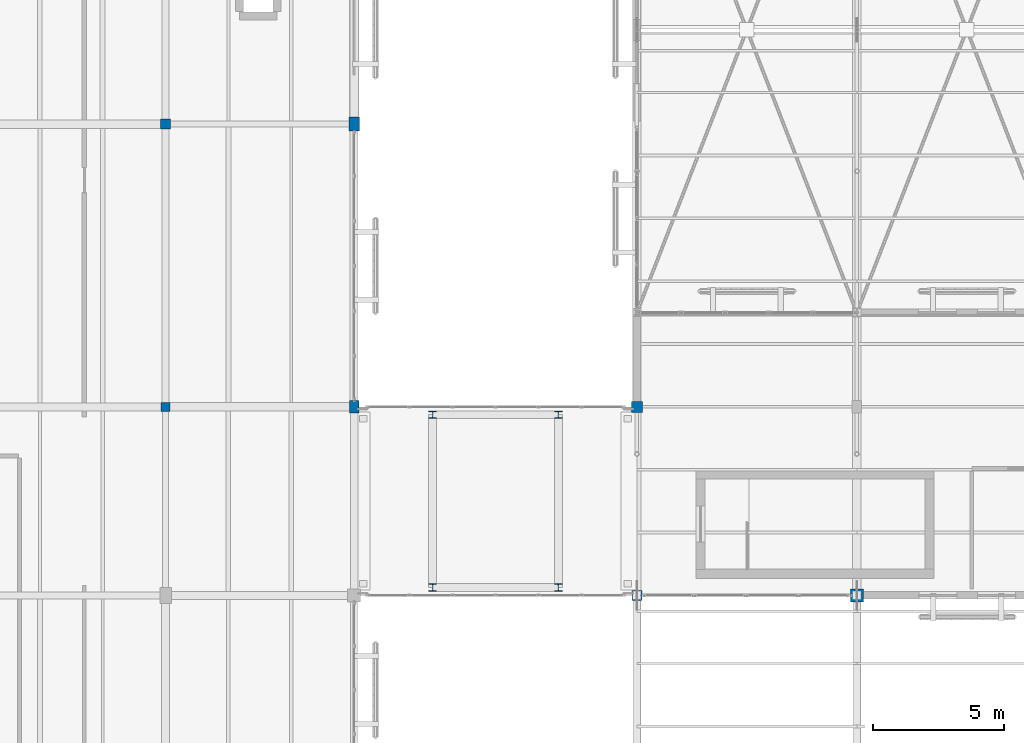
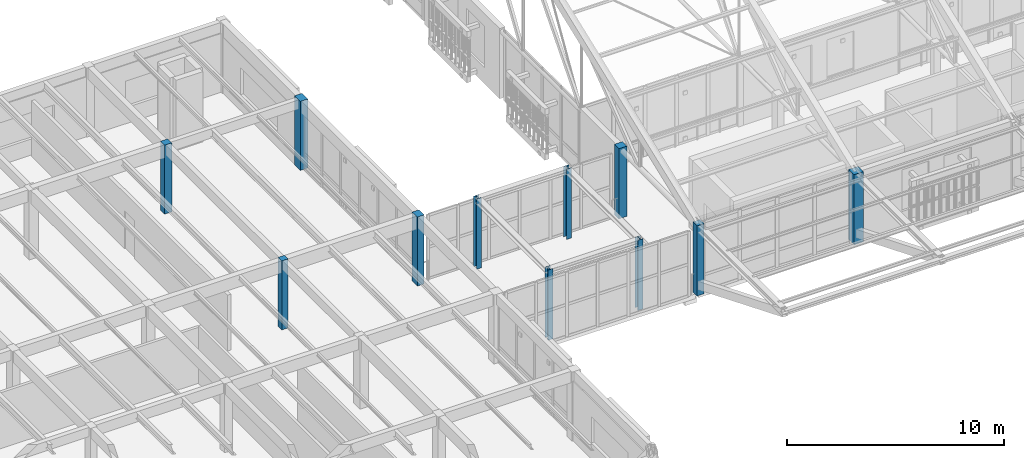
# One storey, part 8 of 217: 11 columns.
"""IFC4 building model written with IfcOpenShell, lengths in metres."""

from ifc_helpers import new_model, si_unit, direction, frame, origin, origin_2d, place, context, subcontext, project, spatial, rectangle, i_section, extrude, material, material_profile, profile_set, type_object, element, save


model = new_model("IFC4")

# Units and contexts
model_context = context("Model", 3, precision=1e-05, world=origin(), true_north=direction((0.0, 1.0)))
body_context = subcontext(model_context, "Body", "Model", "MODEL_VIEW")
ifc_project = project(units=[si_unit("LENGTHUNIT", "METRE"), si_unit("AREAUNIT", "SQUARE_METRE"), si_unit("VOLUMEUNIT", "CUBIC_METRE"), si_unit("PLANEANGLEUNIT", "RADIAN"), si_unit("MASSUNIT", "GRAM", prefix="KILO")], contexts=[model_context])

# Site, building, storey
site_placement = place(None, origin())
site = spatial("IfcSite", under=ifc_project, at=site_placement, CompositionType="ELEMENT")
building_placement = place(site_placement, origin())
building = spatial("IfcBuilding", under=site, at=building_placement, Name="Mazaris Harbour Polytechnic", CompositionType="ELEMENT")
storey_placement = place(building_placement, frame((0.0, 0.0, 9.60009765625)))
storey = spatial("IfcBuildingStorey", under=building, at=storey_placement, Name="L02", CompositionType="ELEMENT", Elevation=9.60009765625)

# Columns
ifc_material_1 = material(Name="Glulam GL28h", Category="wood")
ifc_material_profile_1 = material_profile(ifc_material_1, rectangle(XDim=0.340087890625, YDim=0.340087890625, at=origin_2d()), Name="RECT340x340")
ifc_profile_set_1 = profile_set([ifc_material_profile_1], Name="Glulam GL28h")
column_type_1 = type_object("IfcColumnType", Name="Glulam Column 340x340", PredefinedType="COLUMN", material=ifc_profile_set_1)
column_1_placement = place(storey_placement, frame((36.0, 82.800048828125, 0.0), z_axis=(0.0, 0.0, 1.0), x_axis=(1.0, 0.0, 0.0)))
element("IfcColumn", 1, at=column_1_placement, inside=storey, type_object=column_type_1, Name="V4 L02 Column 888", PredefinedType="COLUMN", context=body_context, shape_type="SweptSolid", body=[
    extrude(rectangle(XDim=0.340087890625, YDim=0.340087890625, at=origin_2d()), origin(), (0.0, 0.0, 1.0), 3.889892578125),
])
ifc_material_2 = material(Name="Glulam GL28h", Category="wood")
ifc_material_profile_2 = material_profile(ifc_material_2, rectangle(XDim=0.360107421875, YDim=0.47998046875, at=origin_2d()), Name="RECT360x480")
ifc_profile_set_2 = profile_set([ifc_material_profile_2], Name="Glulam GL28h")
column_type_2 = type_object("IfcColumnType", Name="Glulam Column 360x480 Exterior", PredefinedType="COLUMN", material=ifc_profile_set_2)
column_2_placement = place(storey_placement, frame((43.199951171875, 82.800048828125, 0.0), z_axis=(0.0, 0.0, 1.0), x_axis=(1.0, 0.0, 0.0)))
element("IfcColumn", 2, at=column_2_placement, inside=storey, type_object=column_type_2, Name="V4 L02 Column 901", PredefinedType="COLUMN", context=body_context, shape_type="SweptSolid", body=[
    extrude(rectangle(XDim=0.360107421875, YDim=0.47998046875, at=origin_2d()), origin(), (0.0, 0.0, 1.0), 3.889892578125),
])
ifc_material_3 = material(Name="Glulam GL28h", Category="wood")
ifc_material_profile_3 = material_profile(ifc_material_3, rectangle(XDim=0.3798828125, YDim=0.3798828125, at=origin_2d()), Name="RECT380x380")
ifc_profile_set_3 = profile_set([ifc_material_profile_3], Name="Glulam GL28h")
column_type_3 = type_object("IfcColumnType", Name="Glulam Column 380x380", PredefinedType="COLUMN", material=ifc_profile_set_3)
column_3_placement = place(storey_placement, frame((36.0, 93.60009765625, 0.0), z_axis=(0.0, 0.0, 1.0), x_axis=(1.0, 0.0, 0.0)))
element("IfcColumn", 3, at=column_3_placement, inside=storey, type_object=column_type_3, Name="V4 L02 Column 889", PredefinedType="COLUMN", context=body_context, shape_type="SweptSolid", body=[
    extrude(rectangle(XDim=0.3798828125, YDim=0.3798828125, at=origin_2d()), origin(), (0.0, 0.0, 1.0), 3.889892578125),
])
ifc_material_4 = material(Name="Glulam GL28h", Category="wood")
ifc_material_profile_4 = material_profile(ifc_material_4, rectangle(XDim=0.3798828125, YDim=0.3798828125, at=origin_2d()), Name="RECT380x380")
ifc_profile_set_4 = profile_set([ifc_material_profile_4], Name="Glulam GL28h")
column_type_4 = type_object("IfcColumnType", Name="Glulam Column 380x380 Exterior", PredefinedType="COLUMN", material=ifc_profile_set_4)
column_4_placement = place(storey_placement, frame((54.0, 75.60009765625, 0.0), z_axis=(0.0, 0.0, 1.0), x_axis=(1.0, 0.0, 0.0)))
element("IfcColumn", 4, at=column_4_placement, inside=storey, type_object=column_type_4, Name="V1 L02 Column 153", PredefinedType="COLUMN", context=body_context, shape_type="SweptSolid", body=[
    extrude(rectangle(XDim=0.3798828125, YDim=0.3798828125, at=origin_2d()), origin(), (0.0, 0.0, 1.0), 3.9599609375),
])
ifc_material_5 = material(Name="Glulam GL28h", Category="wood")
ifc_material_profile_5 = material_profile(ifc_material_5, rectangle(XDim=0.39990234375, YDim=0.5400390625, at=origin_2d()), Name="RECT400x540")
ifc_profile_set_5 = profile_set([ifc_material_profile_5], Name="Glulam GL28h")
column_type_5 = type_object("IfcColumnType", Name="Glulam Column 400x540 Exterior", PredefinedType="COLUMN", material=ifc_profile_set_5)
column_5_placement = place(storey_placement, frame((43.199951171875, 93.60009765625, 0.0), z_axis=(0.0, 0.0, 1.0), x_axis=(1.0, 0.0, 0.0)))
element("IfcColumn", 5, at=column_5_placement, inside=storey, type_object=column_type_5, Name="V4 L02 Column 902", PredefinedType="COLUMN", context=body_context, shape_type="SweptSolid", body=[
    extrude(rectangle(XDim=0.39990234375, YDim=0.5400390625, at=origin_2d()), origin(), (0.0, 0.0, 1.0), 3.889892578125),
])
ifc_material_6 = material(Name="Glulam GL28h", Category="wood")
ifc_material_profile_6 = material_profile(ifc_material_6, rectangle(XDim=0.419921875, YDim=0.419921875, at=origin_2d()), Name="RECT420x420")
ifc_profile_set_6 = profile_set([ifc_material_profile_6], Name="Glulam GL28h")
column_type_6 = type_object("IfcColumnType", Name="Glulam Column 420x420 Exterior", PredefinedType="COLUMN", material=ifc_profile_set_6)
column_6_placement = place(storey_placement, frame((54.0, 82.800048828125, 0.0), z_axis=(0.0, 0.0, 1.0), x_axis=(1.0, 0.0, 0.0)))
element("IfcColumn", 6, at=column_6_placement, inside=storey, type_object=column_type_6, Name="V1 L02 Column 154", PredefinedType="COLUMN", context=body_context, shape_type="SweptSolid", body=[
    extrude(rectangle(XDim=0.419921875, YDim=0.419921875, at=origin_2d()), origin(), (0.0, 0.0, 1.0), 3.9599609375),
])
ifc_material_7 = material(Name="Glulam GL28h", Category="wood")
ifc_material_profile_7 = material_profile(ifc_material_7, rectangle(XDim=0.5, YDim=0.5, at=origin_2d()), Name="RECT500x500")
ifc_profile_set_7 = profile_set([ifc_material_profile_7], Name="Glulam GL28h")
column_type_7 = type_object("IfcColumnType", Name="Glulam Column 500x500 Exterior", PredefinedType="COLUMN", material=ifc_profile_set_7)
column_7_placement = place(storey_placement, frame((62.39990234375, 75.60009765625, 0.0), z_axis=(0.0, 0.0, 1.0), x_axis=(1.0, 0.0, 0.0)))
element("IfcColumn", 7, at=column_7_placement, inside=storey, type_object=column_type_7, Name="V1 L02 Column 156", PredefinedType="COLUMN", context=body_context, shape_type="SweptSolid", body=[
    extrude(rectangle(XDim=0.5, YDim=0.5, at=origin_2d()), origin(), (0.0, 0.0, 1.0), 3.9599609375),
])
ifc_material_8 = material(Name="Steel S355", Category="steel")
ifc_material_profile_8 = material_profile(ifc_material_8, i_section(OverallWidth=0.280029296875, OverallDepth=0.280029296875, WebThickness=0.010498046875, FlangeThickness=0.01806640625, FilletRadius=0.02392578125, at=origin_2d()), Name="HEB 280")
ifc_profile_set_8 = profile_set([ifc_material_profile_8], Name="Steel S355")
column_type_8 = type_object("IfcColumnType", Name="Steel Column HEB280 Exterior", PredefinedType="COLUMN", material=ifc_profile_set_8)
for number, where, z_axis, x_axis, name in (
    (8, (46.199951171875, 75.89990234375, 0.0), (0.0, 0.0, 1.0), (1.0, 0.0, 0.0), "PB-W2 L02 Bridge Column 1540"),
    (9, (51.0, 75.89990234375, 0.0), (0.0, 0.0, 1.0), (1.0, 0.0, 0.0), "PB-W2 L02 Bridge Column 1541"),
    (10, (46.199951171875, 82.5, 0.0), (0.0, 0.0, 1.0), (1.0, 0.0, 0.0), "PB-W2 L02 Bridge Column 1542"),
    (11, (51.0, 82.5, 0.0), (0.0, 0.0, 1.0), (1.0, 0.0, 0.0), "PB-W2 L02 Bridge Column 1543"),
):
    element("IfcColumn", number, at=place(storey_placement, frame(where, z_axis=z_axis, x_axis=x_axis)), inside=storey, type_object=column_type_8, Name=name, PredefinedType="COLUMN", context=body_context, shape_type="SweptSolid", body=[
        extrude(i_section(OverallWidth=0.280029296875, OverallDepth=0.280029296875, WebThickness=0.010498046875, FlangeThickness=0.01806640625, FilletRadius=0.02392578125, at=origin_2d()), origin(), (0.0, 0.0, 1.0), 3.9599609375),
    ])

save(model, "model.ifc")
